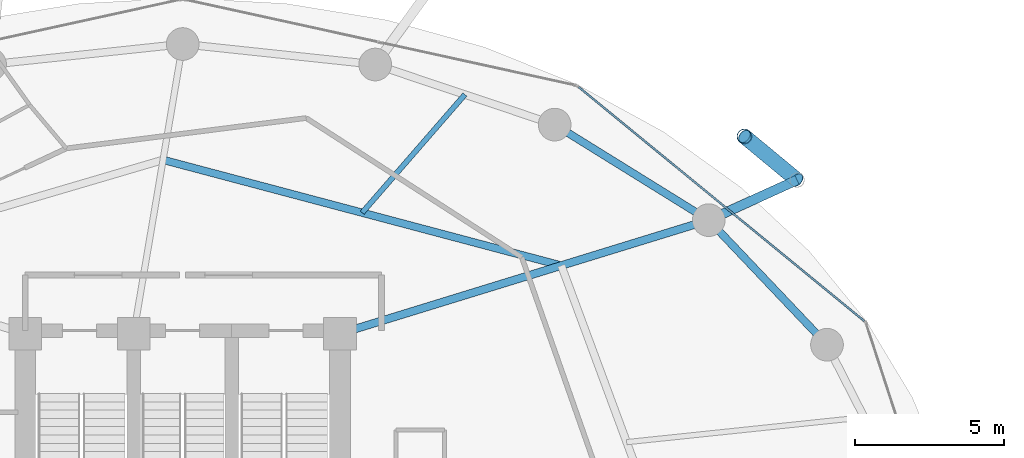
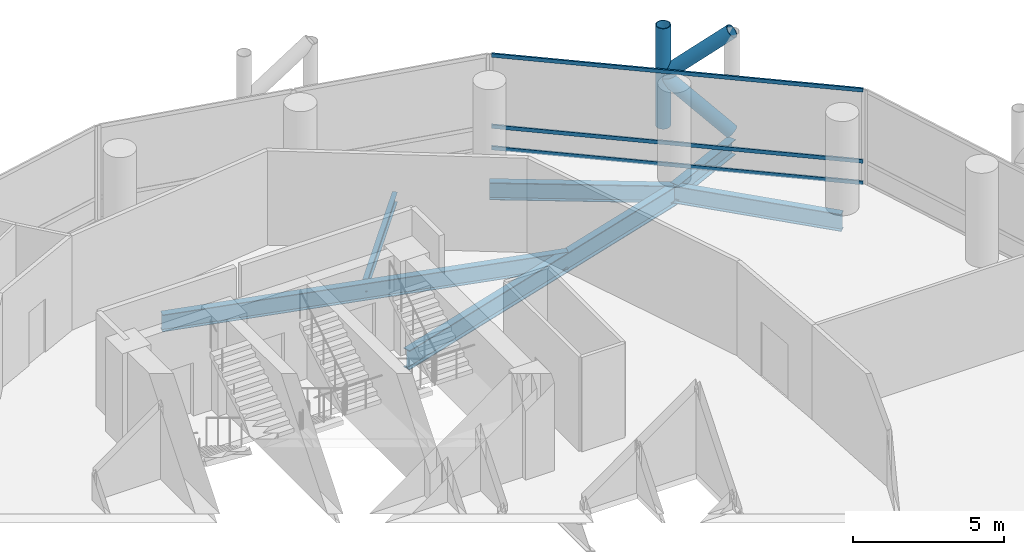
# One storey, part 17 of 24: 6 beams, 6 members, 1 element without a shape of its own.
"""IFC4 building model written with IfcOpenShell, lengths in metres."""

from ifc_helpers import new_model, si_unit, direction, frame, origin, origin_2d, place, context, subcontext, project, spatial, hollow_rectangle, hollow_circle, i_section, extrude, material, layer, layer_set, material_profile, profile_set, type_object, element, aggregate, save


model = new_model("IFC4")

# Units and contexts
model_context = context("Model", 3, precision=1e-05, world=origin(), true_north=direction((0.0, 1.0)))
body_context = subcontext(model_context, "Body", "Model", "MODEL_VIEW")
ifc_project = project(units=[si_unit("LENGTHUNIT", "METRE"), si_unit("AREAUNIT", "SQUARE_METRE"), si_unit("VOLUMEUNIT", "CUBIC_METRE"), si_unit("PLANEANGLEUNIT", "RADIAN"), si_unit("MASSUNIT", "GRAM", prefix="KILO")], contexts=[model_context])

# Site, building, storey
site_placement = place(None, origin())
site = spatial("IfcSite", under=ifc_project, at=site_placement, CompositionType="ELEMENT")
building_placement = place(site_placement, origin())
building = spatial("IfcBuilding", under=site, at=building_placement, Name="Nuhasar Tower", CompositionType="ELEMENT")
storey_placement = place(building_placement, frame((0.0, 0.0, 89.85009765625)))
storey = spatial("IfcBuildingStorey", under=building, at=storey_placement, Name="L21", CompositionType="ELEMENT", Elevation=89.85009765625)

# Beams
ifc_material_1 = material(Name="Steel S355", Category="steel")
ifc_material_profile_1 = material_profile(ifc_material_1, i_section(OverallWidth=0.25390625, OverallDepth=0.68408203125, WebThickness=0.012451171875, FlangeThickness=0.018798828125, at=origin_2d()), Name="W27X94")
ifc_profile_set_1 = profile_set([ifc_material_profile_1], Name="Steel S355")
beam_type_1 = type_object("IfcBeamType", Name="BM-INRING-W27X94", PredefinedType="BEAM", material=ifc_profile_set_1)
beam_1_placement = place(storey_placement, frame((51.748046875, 39.591064453125, -0.592041015625), z_axis=(-0.96653253005, 0.256544086574, 0.0), x_axis=(-0.256544086574, -0.96653253005, 0.0)))
element("IfcBeam", 1, at=beam_1_placement, inside=storey, type_object=beam_type_1, Name="L21 Inner Header Beam 05", PredefinedType="BEAM", context=body_context, shape_type="SweptSolid", body=[
    extrude(i_section(OverallWidth=0.25390625, OverallDepth=0.68408203125, WebThickness=0.012451171875, FlangeThickness=0.018798828125, at=origin_2d()), origin(), (0.0, 0.0, 1.0), 13.872314453125),
])
ifc_material_profile_2 = material_profile(ifc_material_1, i_section(OverallWidth=0.177978515625, OverallDepth=0.406005859375, WebThickness=0.0078125, FlangeThickness=0.0126953125, at=origin_2d()), Name="W16X40")
ifc_profile_set_2 = profile_set([ifc_material_profile_2], Name="Steel S355")
beam_type_2 = type_object("IfcBeamType", Name="BM-JST-W16X40", PredefinedType="JOIST", material=ifc_profile_set_2)
beam_2_placement = place(storey_placement, frame((45.0439453125, 41.3701171875, -0.453125), z_axis=(0.656174129694, 0.754609509296, 0.0), x_axis=(-0.754609509296, 0.656174129694, 0.0)))
element("IfcBeam", 2, at=beam_2_placement, inside=storey, type_object=beam_type_2, Name="L21 Secondary Floor Joist 05", PredefinedType="JOIST", context=body_context, shape_type="SweptSolid", body=[
    extrude(i_section(OverallWidth=0.177978515625, OverallDepth=0.406005859375, WebThickness=0.0078125, FlangeThickness=0.0126953125, at=origin_2d()), origin(), (0.0, 0.0, 1.0), 5.27294921875),
])
ifc_material_profile_3 = material_profile(ifc_material_1, i_section(OverallWidth=0.26611328125, OverallDepth=0.779052734375, WebThickness=0.0166015625, FlangeThickness=0.030029296875, at=origin_2d()), Name="W30X148")
ifc_profile_set_3 = profile_set([ifc_material_profile_3], Name="Steel S355")
beam_type_3 = type_object("IfcBeamType", Name="BM-RAD-W30X148", PredefinedType="BEAM", material=ifc_profile_set_3)
beam_3_placement = place(storey_placement, frame((44.300048828125, 37.300048828125, -0.64013671875), z_axis=(0.955789576103, 0.294051502653, 0.0), x_axis=(-0.294051502653, 0.955789576103, 0.0)))
element("IfcBeam", 3, at=beam_3_placement, inside=storey, type_object=beam_type_3, Name="L21 Radial Floor Girder 05", PredefinedType="BEAM", context=body_context, shape_type="SweptSolid", body=[
    extrude(i_section(OverallWidth=0.26611328125, OverallDepth=0.779052734375, WebThickness=0.0166015625, FlangeThickness=0.030029296875, at=origin_2d()), origin(), (0.0, 0.0, 1.0), 12.987060546875),
])
ifc_material_profile_4 = material_profile(ifc_material_1, i_section(OverallWidth=0.256103515625, OverallDepth=0.693115234375, WebThickness=0.014404296875, FlangeThickness=0.023681640625, at=origin_2d()), Name="W27X114")
ifc_profile_set_4 = profile_set([ifc_material_profile_4], Name="Steel S355")
beam_type_4 = type_object("IfcBeamType", Name="BM-RING-W27X114", PredefinedType="SPANDREL", material=ifc_profile_set_4)
beam_4_placement = place(storey_placement, frame((60.694091796875, 36.925048828125, -0.59716796875), z_axis=(-0.688480893507, 0.725254478976, 0.0), x_axis=(-0.725254478976, -0.688480893507, 0.0)))
element("IfcBeam", 4, at=beam_4_placement, inside=storey, type_object=beam_type_4, Name="L21 Perimeter Ring Spandrel 03", PredefinedType="SPANDREL", context=body_context, shape_type="SweptSolid", body=[
    extrude(i_section(OverallWidth=0.256103515625, OverallDepth=0.693115234375, WebThickness=0.014404296875, FlangeThickness=0.023681640625, at=origin_2d()), origin(), (0.0, 0.0, 1.0), 5.782470703125),
])
beam_5_placement = place(storey_placement, frame((56.712890625, 41.118896484375, -0.59716796875), z_axis=(-0.849795216549, 0.527112976439, 0.0), x_axis=(-0.527112976439, -0.849795216549, 0.0)))
element("IfcBeam", 5, at=beam_5_placement, inside=storey, type_object=beam_type_4, Name="L21 Perimeter Ring Spandrel 04", PredefinedType="SPANDREL", context=body_context, shape_type="SweptSolid", body=[
    extrude(i_section(OverallWidth=0.256103515625, OverallDepth=0.693115234375, WebThickness=0.014404296875, FlangeThickness=0.023681640625, at=origin_2d()), origin(), (0.0, 0.0, 1.0), 6.10498046875),
])
ifc_material_profile_5 = material_profile(ifc_material_1, i_section(OverallWidth=0.323974609375, OverallDepth=0.611083984375, WebThickness=0.0126953125, FlangeThickness=0.01904296875, at=origin_2d()), Name="W24X104")
ifc_profile_set_5 = profile_set([ifc_material_profile_5], Name="Steel S355")
beam_type_5 = type_object("IfcBeamType", Name="BM-TIE-W24X104", PredefinedType="BEAM", material=ifc_profile_set_5)
beam_6_placement = place(storey_placement, frame((56.712890625, 41.118896484375, -0.55615234375), z_axis=(0.910243528587, 0.414073325227, 0.0), x_axis=(-0.414073325227, 0.910243528587, 0.0)))
element("IfcBeam", 6, at=beam_6_placement, inside=storey, type_object=beam_type_5, Name="L21 Exoskeleton Node Tie Beam 02", PredefinedType="BEAM", context=body_context, shape_type="SweptSolid", body=[
    extrude(i_section(OverallWidth=0.323974609375, OverallDepth=0.611083984375, WebThickness=0.0126953125, FlangeThickness=0.01904296875, at=origin_2d()), origin(), (0.0, 0.0, 1.0), 3.26513671875),
])

# Curtain wall, members
ifc_material_2 = material(Name="Aluminium 6063-T6", Category="aluminium")
ifc_layer = layer(ifc_material_2, 0.199951171875)
ifc_layer_set = layer_set([ifc_layer], Name="Aluminium 6063-T6")
curtain_wall_type = type_object("IfcCurtainWallType", Name="CW-Z1-OFF", PredefinedType="NOTDEFINED", material=ifc_layer_set)
curtain_wall_placement = place(storey_placement, origin())
curtain_wall = element("IfcCurtainWall", 7, at=curtain_wall_placement, inside=storey, type_object=curtain_wall_type, Name="L21 Unitised Curtain Wall 02", PredefinedType="NOTDEFINED")
ifc_material_profile_6 = material_profile(ifc_material_2, hollow_rectangle(XDim=0.06494140625, YDim=0.14990234375, WallThickness=0.00439453125, at=origin_2d()), Name="CWT-2")
ifc_profile_set_6 = profile_set([ifc_material_profile_6], Name="Aluminium 6063-T6")
member_type_1 = type_object("IfcMemberType", Name="CW-TRN-S2", PredefinedType="USERDEFINED", material=ifc_profile_set_6)
member_1_placement = place(storey_placement, frame((61.95166015625, 37.72119140625, 0.032470703125), z_axis=(-0.773540851599, 0.633746440548, 0.0), x_axis=(-0.633746440548, -0.773540851599, 0.0)))
member_1 = element("IfcMember", 8, at=member_1_placement, type_object=member_type_1, Name="CW-Z1 transom 1.1", ObjectType="TRANSOM", PredefinedType="USERDEFINED", context=body_context, shape_type="SweptSolid", body=[
    extrude(hollow_rectangle(XDim=0.06494140625, YDim=0.14990234375, WallThickness=0.00439453125, at=origin_2d()), origin(), (0.0, 0.0, 1.0), 12.43798828125),
])
member_2_placement = place(storey_placement, frame((61.95166015625, 37.72119140625, 0.89990234375), z_axis=(-0.773540851599, 0.633746440548, 0.0), x_axis=(-0.633746440548, -0.773540851599, 0.0)))
member_2 = element("IfcMember", 9, at=member_2_placement, type_object=member_type_1, Name="CW-Z1 transom 1.2", ObjectType="TRANSOM", PredefinedType="USERDEFINED", context=body_context, shape_type="SweptSolid", body=[
    extrude(hollow_rectangle(XDim=0.06494140625, YDim=0.14990234375, WallThickness=0.00439453125, at=origin_2d()), origin(), (0.0, 0.0, 1.0), 12.43798828125),
])
member_3_placement = place(storey_placement, frame((61.95166015625, 37.72119140625, 3.767333984375), z_axis=(-0.773540851599, 0.633746440548, 0.0), x_axis=(-0.633746440548, -0.773540851599, 0.0)))
member_3 = element("IfcMember", 10, at=member_3_placement, type_object=member_type_1, Name="CW-Z1 transom 1.3", ObjectType="TRANSOM", PredefinedType="USERDEFINED", context=body_context, shape_type="SweptSolid", body=[
    extrude(hollow_rectangle(XDim=0.06494140625, YDim=0.14990234375, WallThickness=0.00439453125, at=origin_2d()), origin(), (0.0, 0.0, 1.0), 12.43798828125),
])
aggregate(curtain_wall, [member_1, member_2, member_3])

# Members
ifc_material_3 = material(Name="Steel S460", Category="steel")
ifc_material_profile_7 = material_profile(ifc_material_3, hollow_circle(Radius=0.25390625, WallThickness=0.025390625, at=origin_2d()), Name="HSS508X25.4")
ifc_profile_set_7 = profile_set([ifc_material_profile_7], Name="Steel S460")
member_type_2 = type_object("IfcMemberType", Name="EXO-BRONZE-508", PredefinedType="BRACE", material=ifc_profile_set_7)
member_4_placement = place(storey_placement, frame((57.9130859375, 43.93896484375, 0.0), z_axis=(0.0, 0.0, 1.0), x_axis=(1.0, 0.0, 0.0)))
element("IfcMember", 11, at=member_4_placement, inside=storey, type_object=member_type_2, Name="L21 Exoskeleton Chord Column EC-02B", PredefinedType="BRACE", context=body_context, shape_type="SweptSolid", body=[
    extrude(hollow_circle(Radius=0.25390625, WallThickness=0.025390625, at=origin_2d()), origin(), (0.0, 0.0, 1.0), 4.0498046875),
])
for number, where, z_axis, x_axis, name in (
    (12, (59.68505859375, 42.470947265625, 0.0), (-0.578101613167, 0.478937034992, 0.660619286251), (-0.637969333506, -0.770061769929, 0.0), "L21 Bronze Diagrid Brace W1-02"),
    (13, (57.9130859375, 43.93896484375, 2.02490234375), (0.578101613167, -0.478937034992, 0.660619286251), (0.637969333506, 0.770061769929, 0.0), "L21 Bronze Diagrid Brace W2-02"),
):
    element("IfcMember", number, at=place(storey_placement, frame(where, z_axis=z_axis, x_axis=x_axis)), inside=storey, type_object=member_type_2, Name=name, PredefinedType="BRACE", context=body_context, shape_type="SweptSolid", body=[
        extrude(hollow_circle(Radius=0.25390625, WallThickness=0.025390625, at=origin_2d()), origin(), (0.0, 0.0, 1.0), 3.065185546875),
    ])

save(model, "model.ifc")
